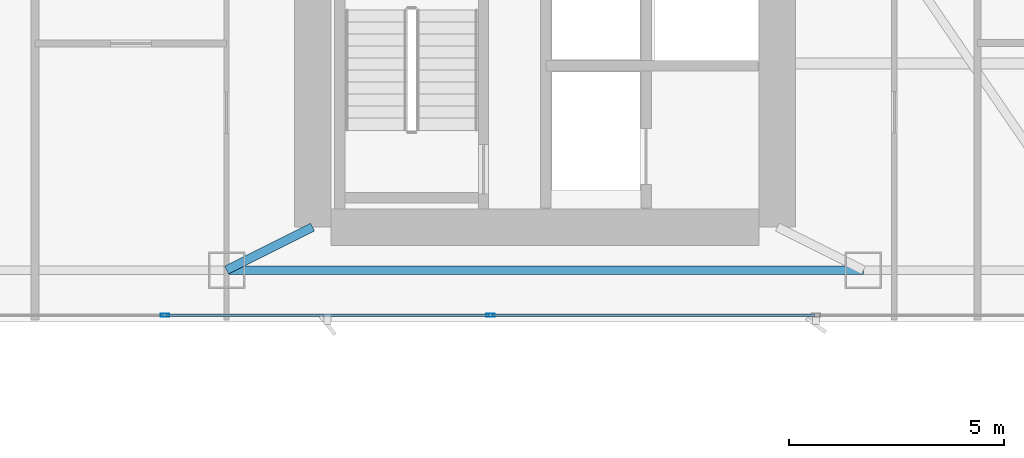
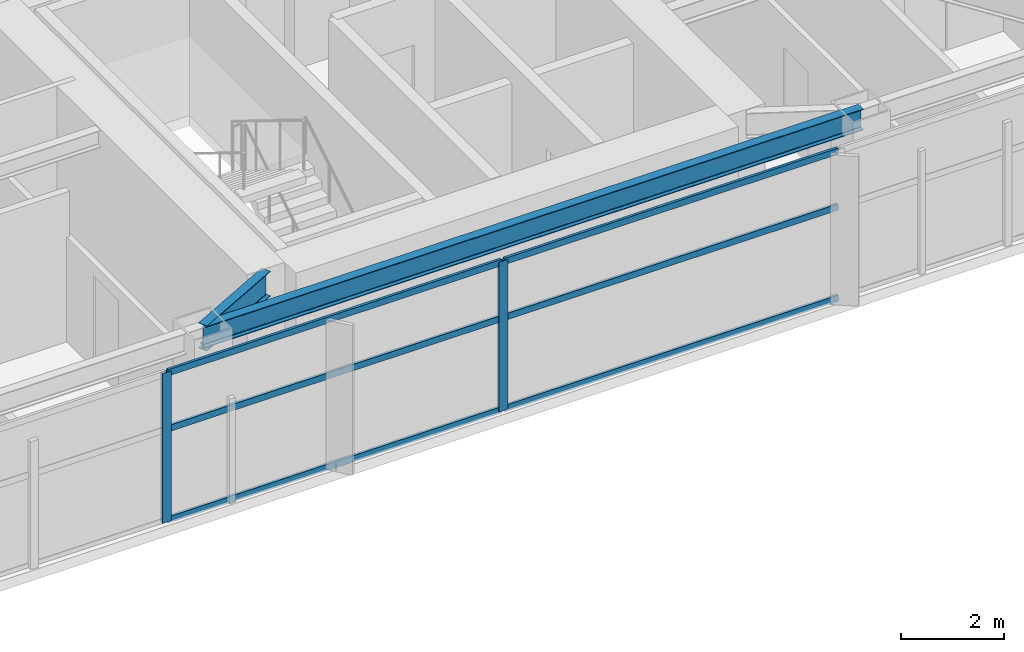
# One storey, part 6 of 29: 8 members, 2 beams, 1 element without a shape of its own.
"""IFC4 building model written with IfcOpenShell, lengths in metres."""

from ifc_helpers import new_model, si_unit, direction, frame, origin, origin_2d, place, context, subcontext, project, spatial, hollow_rectangle, i_section, extrude, material, layer, layer_set, material_profile, profile_set, type_object, element, aggregate, save


model = new_model("IFC4")

# Units and contexts
model_context = context("Model", 3, precision=1e-05, world=origin(), true_north=direction((0.0, 1.0)))
body_context = subcontext(model_context, "Body", "Model", "MODEL_VIEW")
ifc_project = project(units=[si_unit("LENGTHUNIT", "METRE"), si_unit("AREAUNIT", "SQUARE_METRE"), si_unit("VOLUMEUNIT", "CUBIC_METRE"), si_unit("PLANEANGLEUNIT", "RADIAN"), si_unit("MASSUNIT", "GRAM", prefix="KILO")], contexts=[model_context])

# Site, building, storey
site_placement = place(None, origin())
site = spatial("IfcSite", under=ifc_project, at=site_placement, CompositionType="ELEMENT")
building_placement = place(site_placement, origin())
building = spatial("IfcBuilding", under=site, at=building_placement, Name="Calvorn Quay Hotel", CompositionType="ELEMENT")
storey_placement = place(building_placement, frame((0.0, 0.0, 167.5)))
storey = spatial("IfcBuildingStorey", under=building, at=storey_placement, Name="L41", CompositionType="ELEMENT", Elevation=167.5)

# Beams
ifc_material_1 = material(Name="Steel Q355B", Category="steel")
ifc_material_profile_1 = material_profile(ifc_material_1, i_section(OverallWidth=0.199951171875, OverallDepth=0.60009765625, WebThickness=0.010986328125, FlangeThickness=0.01708984375, FilletRadius=0.01806640625, at=origin_2d()), Name="HN600x200x11x17")
ifc_profile_set_1 = profile_set([ifc_material_profile_1], Name="Steel Q355B")
beam_type_1 = type_object("IfcBeamType", Name="BM-GIRD-TYP", PredefinedType="BEAM", material=ifc_profile_set_1)
beam_1_placement = place(storey_placement, frame((19.60009765625, 3.60009765625, 3.239990234375), z_axis=(0.894427191, 0.4472135955, 0.0), x_axis=(-0.4472135955, 0.894427191, 0.0)))
element("IfcBeam", 1, at=beam_1_placement, inside=storey, type_object=beam_type_1, Name="Beam BG-L41-S2", PredefinedType="BEAM", context=body_context, shape_type="SweptSolid", body=[
    extrude(i_section(OverallWidth=0.199951171875, OverallDepth=0.60009765625, WebThickness=0.010986328125, FlangeThickness=0.01708984375, FilletRadius=0.01806640625, at=origin_2d()), origin(), (0.0, 0.0, 1.0), 2.236083984375),
])
ifc_material_2 = material(Name="Steel Q355B", Category="steel")
ifc_material_profile_2 = material_profile(ifc_material_2, i_section(OverallWidth=0.199951171875, OverallDepth=0.5, WebThickness=0.010009765625, FlangeThickness=0.01611328125, FilletRadius=0.01611328125, at=origin_2d()), Name="HN500x200x10x16")
ifc_profile_set_2 = profile_set([ifc_material_profile_2], Name="Steel Q355B")
beam_type_2 = type_object("IfcBeamType", Name="BM-SPANDREL-Z1", PredefinedType="SPANDREL", material=ifc_profile_set_2)
beam_2_placement = place(storey_placement, frame((19.60009765625, 3.60009765625, 3.2900390625), z_axis=(1.0, 0.0, 0.0), x_axis=(0.0, 1.0, 0.0)))
element("IfcBeam", 2, at=beam_2_placement, inside=storey, type_object=beam_type_2, Name="Beam BSP-L41-S3", PredefinedType="SPANDREL", context=body_context, shape_type="SweptSolid", body=[
    extrude(i_section(OverallWidth=0.199951171875, OverallDepth=0.5, WebThickness=0.010009765625, FlangeThickness=0.01611328125, FilletRadius=0.01611328125, at=origin_2d()), origin(), (0.0, 0.0, 1.0), 14.7998046875),
])

# Curtain wall, members
ifc_material_3 = material(Name="Pale Anodised Aluminium and Low-E Glass", Category="aluminium")
ifc_layer = layer(ifc_material_3, 0.219970703125)
ifc_layer_set = layer_set([ifc_layer], Name="CW-SYS-Z2")
curtain_wall_type = type_object("IfcCurtainWallType", Name="CW-SYS-Z2", PredefinedType="NOTDEFINED", material=ifc_layer_set)
curtain_wall_placement = place(storey_placement, origin())
curtain_wall = element("IfcCurtainWall", 3, at=curtain_wall_placement, inside=storey, type_object=curtain_wall_type, Name="Tower South Waterfront Curtain Wall (L41)", PredefinedType="NOTDEFINED")
ifc_material_4 = material(Name="Pale Anodised Aluminium 6063-T6", Category="aluminium")
ifc_material_profile_3 = material_profile(ifc_material_4, hollow_rectangle(XDim=0.070068359375, YDim=0.199951171875, WallThickness=0.00390625, at=origin_2d()), Name="ALU-M200x70x4")
ifc_profile_set_3 = profile_set([ifc_material_profile_3], Name="Pale Anodised Aluminium 6063-T6")
member_type_1 = type_object("IfcMemberType", Name="CW-SYS-Z2-MUL", PredefinedType="MULLION", material=ifc_profile_set_3)
member_1_placement = place(storey_placement, frame((18.166748046875, 2.550048828125, 0.0), z_axis=(0.0, 0.0, 1.0), x_axis=(0.0, 1.0, 0.0)))
member_1 = element("IfcMember", 4, at=member_1_placement, type_object=member_type_1, Name="CW-L41-S mullion 2", PredefinedType="MULLION", context=body_context, shape_type="SweptSolid", body=[
    extrude(hollow_rectangle(XDim=0.070068359375, YDim=0.199951171875, WallThickness=0.00390625, at=origin_2d()), origin(), (0.0, 0.0, 1.0), 3.56005859375),
])
member_2_placement = place(storey_placement, frame((25.7333984375, 2.550048828125, 0.0), z_axis=(0.0, 0.0, 1.0), x_axis=(0.0, 1.0, 0.0)))
member_2 = element("IfcMember", 5, at=member_2_placement, type_object=member_type_1, Name="CW-L41-S mullion 3", PredefinedType="MULLION", context=body_context, shape_type="SweptSolid", body=[
    extrude(hollow_rectangle(XDim=0.070068359375, YDim=0.199951171875, WallThickness=0.00390625, at=origin_2d()), origin(), (0.0, 0.0, 1.0), 3.56005859375),
])
ifc_material_5 = material(Name="Pale Anodised Aluminium 6063-T6", Category="aluminium")
ifc_material_profile_4 = material_profile(ifc_material_5, hollow_rectangle(XDim=0.06005859375, YDim=0.14990234375, WallThickness=0.00341796875, at=origin_2d()), Name="ALU-T150x60x3.5")
ifc_profile_set_4 = profile_set([ifc_material_profile_4], Name="Pale Anodised Aluminium 6063-T6")
member_type_2 = type_object("IfcMemberType", Name="CW-SYS-Z2-TRN", PredefinedType="USERDEFINED", material=ifc_profile_set_4)
member_3_placement = place(storey_placement, frame((18.19677734375, 2.550048828125, 0.030029296875), z_axis=(1.0, 0.0, 0.0), x_axis=(0.0, 1.0, 0.0)))
member_3 = element("IfcMember", 6, at=member_3_placement, type_object=member_type_2, Name="CW-L41-S transom 2.1", ObjectType="TRANSOM", PredefinedType="USERDEFINED", context=body_context, shape_type="SweptSolid", body=[
    extrude(hollow_rectangle(XDim=0.06005859375, YDim=0.14990234375, WallThickness=0.00341796875, at=origin_2d()), origin(), (0.0, 0.0, 1.0), 7.506591796875),
])
member_4_placement = place(storey_placement, frame((18.19677734375, 2.550048828125, 2.199951171875), z_axis=(1.0, 0.0, 0.0), x_axis=(0.0, 1.0, 0.0)))
member_4 = element("IfcMember", 7, at=member_4_placement, type_object=member_type_2, Name="CW-L41-S transom 2.2", ObjectType="TRANSOM", PredefinedType="USERDEFINED", context=body_context, shape_type="SweptSolid", body=[
    extrude(hollow_rectangle(XDim=0.06005859375, YDim=0.14990234375, WallThickness=0.00341796875, at=origin_2d()), origin(), (0.0, 0.0, 1.0), 7.506591796875),
])
member_5_placement = place(storey_placement, frame((18.19677734375, 2.550048828125, 3.530029296875), z_axis=(1.0, 0.0, 0.0), x_axis=(0.0, 1.0, 0.0)))
member_5 = element("IfcMember", 8, at=member_5_placement, type_object=member_type_2, Name="CW-L41-S transom 2.3", ObjectType="TRANSOM", PredefinedType="USERDEFINED", context=body_context, shape_type="SweptSolid", body=[
    extrude(hollow_rectangle(XDim=0.06005859375, YDim=0.14990234375, WallThickness=0.00341796875, at=origin_2d()), origin(), (0.0, 0.0, 1.0), 7.506591796875),
])
member_6_placement = place(storey_placement, frame((25.763427734375, 2.550048828125, 0.030029296875), z_axis=(1.0, 0.0, 0.0), x_axis=(0.0, 1.0, 0.0)))
member_6 = element("IfcMember", 9, at=member_6_placement, type_object=member_type_2, Name="CW-L41-S transom 3.1", ObjectType="TRANSOM", PredefinedType="USERDEFINED", context=body_context, shape_type="SweptSolid", body=[
    extrude(hollow_rectangle(XDim=0.06005859375, YDim=0.14990234375, WallThickness=0.00341796875, at=origin_2d()), origin(), (0.0, 0.0, 1.0), 7.506591796875),
])
member_7_placement = place(storey_placement, frame((25.763427734375, 2.550048828125, 2.199951171875), z_axis=(1.0, 0.0, 0.0), x_axis=(0.0, 1.0, 0.0)))
member_7 = element("IfcMember", 10, at=member_7_placement, type_object=member_type_2, Name="CW-L41-S transom 3.2", ObjectType="TRANSOM", PredefinedType="USERDEFINED", context=body_context, shape_type="SweptSolid", body=[
    extrude(hollow_rectangle(XDim=0.06005859375, YDim=0.14990234375, WallThickness=0.00341796875, at=origin_2d()), origin(), (0.0, 0.0, 1.0), 7.506591796875),
])
member_8_placement = place(storey_placement, frame((25.763427734375, 2.550048828125, 3.530029296875), z_axis=(1.0, 0.0, 0.0), x_axis=(0.0, 1.0, 0.0)))
member_8 = element("IfcMember", 11, at=member_8_placement, type_object=member_type_2, Name="CW-L41-S transom 3.3", ObjectType="TRANSOM", PredefinedType="USERDEFINED", context=body_context, shape_type="SweptSolid", body=[
    extrude(hollow_rectangle(XDim=0.06005859375, YDim=0.14990234375, WallThickness=0.00341796875, at=origin_2d()), origin(), (0.0, 0.0, 1.0), 7.506591796875),
])
aggregate(curtain_wall, [member_1, member_2, member_3, member_4, member_5, member_6, member_7, member_8])

save(model, "model.ifc")
